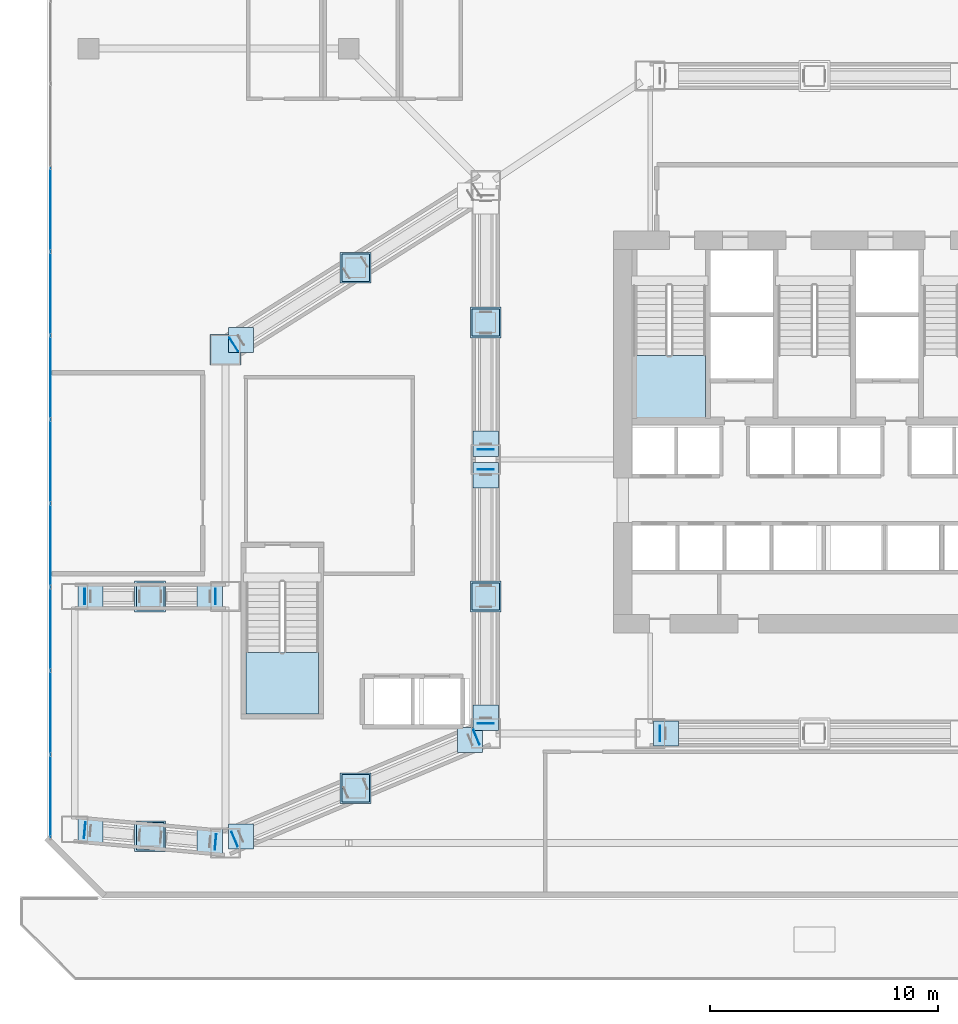
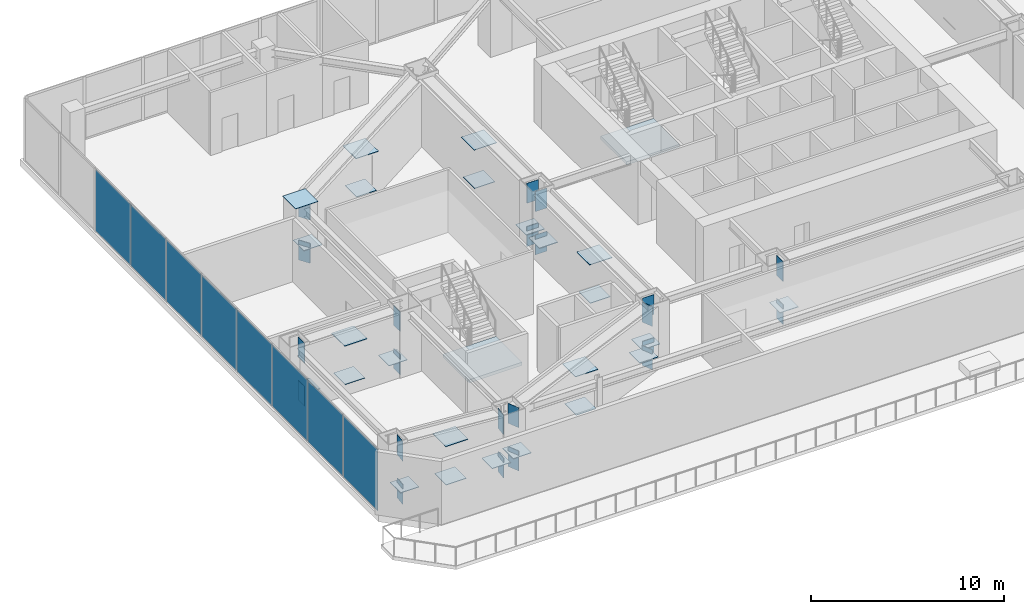
# One storey, part 20 of 39: 54 plates, 2 slabs, 3 elements without a shape of their own.
"""IFC4 building model written with IfcOpenShell, lengths in metres."""

from ifc_helpers import new_model, si_unit, direction, frame, origin, origin_2d, place, context, subcontext, project, spatial, polyline, rectangle, outline, extrude, material, layer, layer_set, type_object, element, aggregate, save


model = new_model("IFC4")

# Units and contexts
model_context = context("Model", 3, precision=1e-05, world=origin(), true_north=direction((0.0, 1.0)))
body_context = subcontext(model_context, "Body", "Model", "MODEL_VIEW")
ifc_project = project(units=[si_unit("LENGTHUNIT", "METRE"), si_unit("AREAUNIT", "SQUARE_METRE"), si_unit("VOLUMEUNIT", "CUBIC_METRE"), si_unit("PLANEANGLEUNIT", "RADIAN"), si_unit("MASSUNIT", "GRAM", prefix="KILO")], contexts=[model_context])

# Site, building, storey
site_placement = place(None, origin())
site = spatial("IfcSite", under=ifc_project, at=site_placement, CompositionType="ELEMENT")
building_placement = place(site_placement, origin())
building = spatial("IfcBuilding", under=site, at=building_placement, Name="Haolan Belvedere Tower", CompositionType="ELEMENT")
storey_placement = place(building_placement, frame((0.0, 0.0, 19.800048828125)))
storey = spatial("IfcBuildingStorey", under=building, at=storey_placement, Name="L04", CompositionType="ELEMENT", Elevation=19.800048828125)

# Curtain wall, plates
ifc_material_1 = material(Name="Anodised champagne-silver aluminium 6063-T6 and Low-E glass", Category="aluminium")
ifc_layer_1 = layer(ifc_material_1, 0.179931640625, Name="Anodised champagne-silver aluminium 6063-T6 and Low-E glass")
ifc_layer_set_1 = layer_set([ifc_layer_1], Name="Anodised champagne-silver aluminium 6063-T6 and Low-E glass")
curtain_wall_type = type_object("IfcCurtainWallType", Name="CW-SYS-01", PredefinedType="NOTDEFINED", material=ifc_layer_set_1)
curtain_wall_placement = place(storey_placement, origin())
curtain_wall = element("IfcCurtainWall", 1, at=curtain_wall_placement, inside=storey, type_object=curtain_wall_type, Name="L04 CW-SYS-01 ribbon curtain wall 4.1", PredefinedType="NOTDEFINED")
ifc_material_2 = material(Name="Double silver Low-E laminated insulating glass", Category="glass")
ifc_layer_2 = layer(ifc_material_2, 0.028076171875, Name="Double silver Low-E laminated insulating glass")
ifc_layer_set_2 = layer_set([ifc_layer_2], Name="Double silver Low-E laminated insulating glass")
plate_type_1 = type_object("IfcPlateType", Name="CW-SYS-01-PNL", PredefinedType="CURTAIN_PANEL", material=ifc_layer_set_2)
plate_1_placement = place(storey_placement, frame((4.929931640625, 44.5458984375, 0.06005859375), z_axis=(0.0, 0.0, 1.0), x_axis=(0.0, -1.0, 0.0)))
plate_1 = element("IfcPlate", 2, at=plate_1_placement, type_object=plate_type_1, Name="CW-01 panel 3.1", PredefinedType="CURTAIN_PANEL", context=body_context, shape_type="SweptSolid", body=[
    extrude(rectangle(XDim=3.608642578125, YDim=0.028076171875, at=origin_2d()), origin(), (0.0, 0.0, 1.0), 3.8798828125),
])
plate_2_placement = place(storey_placement, frame((4.929931640625, 40.872314453125, 0.06005859375), z_axis=(0.0, 0.0, 1.0), x_axis=(0.0, -1.0, 0.0)))
plate_2 = element("IfcPlate", 3, at=plate_2_placement, type_object=plate_type_1, Name="CW-01 panel 4.1", PredefinedType="CURTAIN_PANEL", context=body_context, shape_type="SweptSolid", body=[
    extrude(rectangle(XDim=3.608642578125, YDim=0.028076171875, at=origin_2d()), origin(), (0.0, 0.0, 1.0), 3.8798828125),
])
plate_3_placement = place(storey_placement, frame((4.929931640625, 37.19873046875, 0.06005859375), z_axis=(0.0, 0.0, 1.0), x_axis=(0.0, -1.0, 0.0)))
plate_3 = element("IfcPlate", 4, at=plate_3_placement, type_object=plate_type_1, Name="CW-01 panel 5.1", PredefinedType="CURTAIN_PANEL", context=body_context, shape_type="SweptSolid", body=[
    extrude(rectangle(XDim=3.608642578125, YDim=0.028076171875, at=origin_2d()), origin(), (0.0, 0.0, 1.0), 3.8798828125),
])
plate_4_placement = place(storey_placement, frame((4.929931640625, 33.525146484375, 0.06005859375), z_axis=(0.0, 0.0, 1.0), x_axis=(0.0, -1.0, 0.0)))
plate_4 = element("IfcPlate", 5, at=plate_4_placement, type_object=plate_type_1, Name="CW-01 panel 6.1", PredefinedType="CURTAIN_PANEL", context=body_context, shape_type="SweptSolid", body=[
    extrude(rectangle(XDim=3.608642578125, YDim=0.028076171875, at=origin_2d()), origin(), (0.0, 0.0, 1.0), 3.8798828125),
])
plate_5_placement = place(storey_placement, frame((4.929931640625, 29.8515625, 0.06005859375), z_axis=(0.0, 0.0, 1.0), x_axis=(0.0, -1.0, 0.0)))
plate_5 = element("IfcPlate", 6, at=plate_5_placement, type_object=plate_type_1, Name="CW-01 panel 7.1", PredefinedType="CURTAIN_PANEL", context=body_context, shape_type="SweptSolid", body=[
    extrude(rectangle(XDim=3.608642578125, YDim=0.028076171875, at=origin_2d()), origin(), (0.0, 0.0, 1.0), 3.8798828125),
])
plate_6_placement = place(storey_placement, frame((4.929931640625, 26.177734375, 0.06005859375), z_axis=(0.0, 0.0, 1.0), x_axis=(0.0, -1.0, 0.0)))
plate_6 = element("IfcPlate", 7, at=plate_6_placement, type_object=plate_type_1, Name="CW-01 panel 8.1", PredefinedType="CURTAIN_PANEL", context=body_context, shape_type="SweptSolid", body=[
    extrude(rectangle(XDim=3.608642578125, YDim=0.028076171875, at=origin_2d()), origin(), (0.0, 0.0, 1.0), 3.8798828125),
])
plate_7_placement = place(storey_placement, frame((4.929931640625, 22.504150390625, 0.06005859375), z_axis=(0.0, 0.0, 1.0), x_axis=(0.0, -1.0, 0.0)))
plate_7 = element("IfcPlate", 8, at=plate_7_placement, type_object=plate_type_1, Name="CW-01 panel 9.1", PredefinedType="CURTAIN_PANEL", context=body_context, shape_type="SweptSolid", body=[
    extrude(rectangle(XDim=3.608642578125, YDim=0.028076171875, at=origin_2d()), origin(), (0.0, 0.0, 1.0), 3.8798828125),
])
plate_8_placement = place(storey_placement, frame((4.929931640625, 18.846923828125, 0.06005859375), z_axis=(0.0, 0.0, 1.0), x_axis=(0.0, -1.0, 0.0)))
plate_8 = element("IfcPlate", 9, at=plate_8_placement, type_object=plate_type_1, Name="CW-01 panel 10.1", PredefinedType="CURTAIN_PANEL", context=body_context, shape_type="SweptSolid", body=[
    extrude(rectangle(XDim=3.576171875, YDim=0.028076171875, at=origin_2d()), origin(), (0.0, 0.0, 1.0), 3.8798828125),
])
aggregate(curtain_wall, [plate_1, plate_2, plate_3, plate_4, plate_5, plate_6, plate_7, plate_8])

# Plates
ifc_material_3 = material(Name="Steel Q355B", Category="steel")
ifc_layer_3 = layer(ifc_material_3, 0.02490234375, Name="Steel Q355B")
ifc_layer_set_3 = layer_set([ifc_layer_3], Name="Steel Q355B")
plate_type_2 = type_object("IfcPlateType", Name="PL-CAP-25", PredefinedType="SHEET", material=ifc_layer_set_3)
plate_9_placement = place(storey_placement, frame((12.60009765625, 38.39990234375, 4.199951171875), z_axis=(0.0, 0.0, 1.0), x_axis=(1.0, 0.0, 0.0)))
element("IfcPlate", 10, at=plate_9_placement, inside=storey, type_object=plate_type_2, Name="Hollow steel end-cap plate COL-L04-MC-T2-NW-TCAP", PredefinedType="SHEET", context=body_context, shape_type="SweptSolid", body=[
    extrude(rectangle(XDim=1.340087890625, YDim=1.340087890625, at=origin_2d()), origin(), (0.0, 0.0, 1.0), 0.02490234375),
])
for number, where, z_axis, x_axis, name in (
    (11, (24.0, 22.03759765625, 2.7099609375), (0.0, 0.0, 1.0), (1.0, 0.0, 0.0), "Hollow steel end-cap plate TT-T3-W1-TC-CAP0"),
    (12, (24.0, 33.16259765625, 2.7099609375), (0.0, 0.0, 1.0), (-1.0, 0.0, 0.0), "Hollow steel end-cap plate TT-T3-W1-TC-CAP1"),
    (13, (24.0, 22.03759765625, -0.0302734375), (0.0, 0.0, 1.0), (1.0, 0.0, 0.0), "Hollow steel end-cap plate TT-T3-W1-BC-CAP0"),
    (14, (24.0, 33.16259765625, -0.0302734375), (0.0, 0.0, 1.0), (-1.0, 0.0, 0.0), "Hollow steel end-cap plate TT-T3-W1-BC-CAP1"),
    (15, (24.0, 34.03759765625, 2.7099609375), (0.0, 0.0, 1.0), (1.0, 0.0, 0.0), "Hollow steel end-cap plate TT-T3-W2-TC-CAP0"),
    (16, (24.0, 34.03759765625, -0.0302734375), (0.0, 0.0, 1.0), (1.0, 0.0, 0.0), "Hollow steel end-cap plate TT-T3-W2-BC-CAP0"),
    (17, (31.637451171875, 21.60009765625, 2.7099609375), (0.0, 0.0, 1.0), (0.0, -1.0, 0.0), "Hollow steel end-cap plate TT-T3-SM-TC-CAP0"),
    (18, (31.637451171875, 21.60009765625, -0.0302734375), (0.0, 0.0, 1.0), (0.0, -1.0, 0.0), "Hollow steel end-cap plate TT-T3-SM-BC-CAP0"),
    (19, (13.003173828125, 16.9697265625, 2.7099609375), (0.0, 0.0, 1.0), (0.388062562797, -0.921633032912, 0.0), "Hollow steel end-cap plate TT-T2-S-TC-CAP0"),
    (20, (23.5966796875, 21.43017578125, 2.7099609375), (0.0, 0.0, 1.0), (-0.388062562797, 0.921633032912, 0.0), "Hollow steel end-cap plate TT-T2-S-TC-CAP1"),
    (21, (13.003173828125, 16.9697265625, -0.0302734375), (0.0, 0.0, 1.0), (0.388062562797, -0.921633032912, 0.0), "Hollow steel end-cap plate TT-T2-S-BC-CAP0"),
    (22, (23.5966796875, 21.43017578125, -0.0302734375), (0.0, 0.0, 1.0), (-0.388062562797, 0.921633032912, 0.0), "Hollow steel end-cap plate TT-T2-S-BC-CAP1"),
    (23, (12.969970703125, 38.633544921875, 2.7099609375), (0.0, 0.0, 1.0), (0.533998240073, -0.845485588049, 0.0), "Hollow steel end-cap plate TT-T2-N-TC-CAP0"),
    (24, (12.969970703125, 38.633544921875, -0.0302734375), (0.0, 0.0, 1.0), (0.533998240073, -0.845485588049, 0.0), "Hollow steel end-cap plate TT-T2-N-BC-CAP0"),
    (25, (6.435791015625, 17.3603515625, 2.7099609375), (0.0, 0.0, 1.0), (-0.090528290931, -0.995893884177, 0.0), "Hollow steel end-cap plate TT-T1-S-TC-CAP0"),
    (26, (12.164306640625, 16.839599609375, 2.7099609375), (0.0, 0.0, 1.0), (0.090528290931, 0.995893884177, 0.0), "Hollow steel end-cap plate TT-T1-S-TC-CAP1"),
    (27, (6.435791015625, 17.3603515625, -0.0302734375), (0.0, 0.0, 1.0), (-0.090528290931, -0.995893884177, 0.0), "Hollow steel end-cap plate TT-T1-S-BC-CAP0"),
    (28, (12.164306640625, 16.839599609375, -0.0302734375), (0.0, 0.0, 1.0), (0.090528290931, 0.995893884177, 0.0), "Hollow steel end-cap plate TT-T1-S-BC-CAP1"),
    (29, (6.4375, 27.60009765625, 2.7099609375), (0.0, 0.0, 1.0), (0.0, -1.0, 0.0), "Hollow steel end-cap plate TT-T1-N-TC-CAP0"),
    (30, (12.16259765625, 27.60009765625, 2.7099609375), (0.0, 0.0, 1.0), (0.0, 1.0, 0.0), "Hollow steel end-cap plate TT-T1-N-TC-CAP1"),
    (31, (6.4375, 27.60009765625, -0.0302734375), (0.0, 0.0, 1.0), (0.0, -1.0, 0.0), "Hollow steel end-cap plate TT-T1-N-BC-CAP0"),
    (32, (12.16259765625, 27.60009765625, -0.0302734375), (0.0, 0.0, 1.0), (0.0, 1.0, 0.0), "Hollow steel end-cap plate TT-T1-N-BC-CAP1"),
):
    element("IfcPlate", number, at=place(storey_placement, frame(where, z_axis=z_axis, x_axis=x_axis)), inside=storey, type_object=plate_type_2, Name=name, PredefinedType="SHEET", context=body_context, shape_type="SweptSolid", body=[
        extrude(rectangle(XDim=0.68994140625, YDim=0.02490234375, at=origin_2d()), origin(), (0.0, 0.0, 1.0), 1.260009765625),
    ])
ifc_material_4 = material(Name="Steel Q420GJC", Category="steel")
ifc_layer_4 = layer(ifc_material_4, 0.034912109375, Name="Steel Q420GJC")
ifc_layer_set_4 = layer_set([ifc_layer_4], Name="Steel Q420GJC")
plate_type_3 = type_object("IfcPlateType", Name="PL-NODE-NP01", PredefinedType="USERDEFINED", material=ifc_layer_set_4)
for number, where, z_axis, x_axis, name in (
    (33, (24.0, 22.2900390625, 0.92236328125), (0.0, 0.0, 1.0), (1.0, 0.0, 0.0), "NP-01 transfer truss base gusset plate TT-T3-W1.1"),
    (34, (24.0, 32.909912109375, 0.92236328125), (0.0, 0.0, 1.0), (1.0, 0.0, 0.0), "NP-01 transfer truss base gusset plate TT-T3-W1.2"),
):
    element("IfcPlate", number, at=place(storey_placement, frame(where, z_axis=z_axis, x_axis=x_axis)), inside=storey, type_object=plate_type_3, Name=name, ObjectType="GUSSET", PredefinedType="USERDEFINED", context=body_context, shape_type="SweptSolid", body=[
        extrude(rectangle(XDim=1.10009765625, YDim=1.10009765625, at=origin_2d()), origin(), (0.0, 0.0, 1.0), 0.034912109375),
    ])
plate_10_placement = place(storey_placement, frame((24.0, 27.60009765625, 3.20263671875), z_axis=(0.0, 0.0, 1.0), x_axis=(1.0, 0.0, 0.0)))
element("IfcPlate", 35, at=plate_10_placement, inside=storey, type_object=plate_type_3, Name="NP-01 transfer truss node assembly TT-T3-W1", ObjectType="GUSSET", PredefinedType="USERDEFINED", context=body_context, shape_type="SweptSolid", body=[
    extrude(rectangle(XDim=1.35009765625, YDim=1.35009765625, at=origin_2d()), origin(), (0.0, 0.0, 1.0), 0.034912109375),
])
plate_11_placement = place(storey_placement, frame((24.0, 27.60009765625, 0.70263671875), z_axis=(0.0, 0.0, 1.0), x_axis=(1.0, 0.0, 0.0)))
element("IfcPlate", 36, at=plate_11_placement, inside=storey, type_object=plate_type_3, Name="NP-01 transfer truss lower chord node plate TT-T3-W1", ObjectType="GUSSET", PredefinedType="USERDEFINED", context=body_context, shape_type="SweptSolid", body=[
    extrude(rectangle(XDim=1.199951171875, YDim=1.199951171875, at=origin_2d()), origin(), (0.0, 0.0, 1.0), 0.034912109375),
])
plate_12_placement = place(storey_placement, frame((24.0, 34.2900390625, 0.92236328125), z_axis=(0.0, 0.0, 1.0), x_axis=(1.0, 0.0, 0.0)))
element("IfcPlate", 37, at=plate_12_placement, inside=storey, type_object=plate_type_3, Name="NP-01 transfer truss base gusset plate TT-T3-W2.1", ObjectType="GUSSET", PredefinedType="USERDEFINED", context=body_context, shape_type="SweptSolid", body=[
    extrude(rectangle(XDim=1.10009765625, YDim=1.10009765625, at=origin_2d()), origin(), (0.0, 0.0, 1.0), 0.034912109375),
])
plate_13_placement = place(storey_placement, frame((24.0, 39.60009765625, 3.20263671875), z_axis=(0.0, 0.0, 1.0), x_axis=(1.0, 0.0, 0.0)))
element("IfcPlate", 38, at=plate_13_placement, inside=storey, type_object=plate_type_3, Name="NP-01 transfer truss node assembly TT-T3-W2", ObjectType="GUSSET", PredefinedType="USERDEFINED", context=body_context, shape_type="SweptSolid", body=[
    extrude(rectangle(XDim=1.35009765625, YDim=1.35009765625, at=origin_2d()), origin(), (0.0, 0.0, 1.0), 0.034912109375),
])
plate_14_placement = place(storey_placement, frame((24.0, 39.60009765625, 0.70263671875), z_axis=(0.0, 0.0, 1.0), x_axis=(1.0, 0.0, 0.0)))
element("IfcPlate", 39, at=plate_14_placement, inside=storey, type_object=plate_type_3, Name="NP-01 transfer truss lower chord node plate TT-T3-W2", ObjectType="GUSSET", PredefinedType="USERDEFINED", context=body_context, shape_type="SweptSolid", body=[
    extrude(rectangle(XDim=1.199951171875, YDim=1.199951171875, at=origin_2d()), origin(), (0.0, 0.0, 1.0), 0.034912109375),
])
for number, where, z_axis, x_axis, name in (
    (40, (31.889892578125, 21.60009765625, 0.92236328125), (0.0, 0.0, 1.0), (1.0, 0.0, 0.0), "NP-01 transfer truss base gusset plate TT-T3-SM.1"),
    (41, (13.286865234375, 17.089111328125, 0.92236328125), (0.0, 0.0, 1.0), (1.0, 0.0, 0.0), "NP-01 transfer truss base gusset plate TT-T2-S.1"),
    (42, (23.31298828125, 21.310791015625, 0.92236328125), (0.0, 0.0, 1.0), (1.0, 0.0, 0.0), "NP-01 transfer truss base gusset plate TT-T2-S.2"),
):
    element("IfcPlate", number, at=place(storey_placement, frame(where, z_axis=z_axis, x_axis=x_axis)), inside=storey, type_object=plate_type_3, Name=name, ObjectType="GUSSET", PredefinedType="USERDEFINED", context=body_context, shape_type="SweptSolid", body=[
        extrude(rectangle(XDim=1.10009765625, YDim=1.10009765625, at=origin_2d()), origin(), (0.0, 0.0, 1.0), 0.034912109375),
    ])
plate_15_placement = place(storey_placement, frame((18.300048828125, 19.199951171875, 3.20263671875), z_axis=(0.0, 0.0, 1.0), x_axis=(1.0, 0.0, 0.0)))
element("IfcPlate", 43, at=plate_15_placement, inside=storey, type_object=plate_type_3, Name="NP-01 transfer truss node assembly TT-T2-S", ObjectType="GUSSET", PredefinedType="USERDEFINED", context=body_context, shape_type="SweptSolid", body=[
    extrude(rectangle(XDim=1.35009765625, YDim=1.35009765625, at=origin_2d()), origin(), (0.0, 0.0, 1.0), 0.034912109375),
])
plate_16_placement = place(storey_placement, frame((18.300048828125, 19.199951171875, 0.70263671875), z_axis=(0.0, 0.0, 1.0), x_axis=(1.0, 0.0, 0.0)))
element("IfcPlate", 44, at=plate_16_placement, inside=storey, type_object=plate_type_3, Name="NP-01 transfer truss lower chord node plate TT-T2-S", ObjectType="GUSSET", PredefinedType="USERDEFINED", context=body_context, shape_type="SweptSolid", body=[
    extrude(rectangle(XDim=1.199951171875, YDim=1.199951171875, at=origin_2d()), origin(), (0.0, 0.0, 1.0), 0.034912109375),
])
plate_17_placement = place(storey_placement, frame((13.28369140625, 38.831787109375, 0.92236328125), z_axis=(0.0, 0.0, 1.0), x_axis=(1.0, 0.0, 0.0)))
element("IfcPlate", 45, at=plate_17_placement, inside=storey, type_object=plate_type_3, Name="NP-01 transfer truss base gusset plate TT-T2-N.1", ObjectType="GUSSET", PredefinedType="USERDEFINED", context=body_context, shape_type="SweptSolid", body=[
    extrude(rectangle(XDim=1.10009765625, YDim=1.10009765625, at=origin_2d()), origin(), (0.0, 0.0, 1.0), 0.034912109375),
])
plate_18_placement = place(storey_placement, frame((18.300048828125, 42.0, 3.20263671875), z_axis=(0.0, 0.0, 1.0), x_axis=(1.0, 0.0, 0.0)))
element("IfcPlate", 46, at=plate_18_placement, inside=storey, type_object=plate_type_3, Name="NP-01 transfer truss node assembly TT-T2-N", ObjectType="GUSSET", PredefinedType="USERDEFINED", context=body_context, shape_type="SweptSolid", body=[
    extrude(rectangle(XDim=1.35009765625, YDim=1.35009765625, at=origin_2d()), origin(), (0.0, 0.0, 1.0), 0.034912109375),
])
plate_19_placement = place(storey_placement, frame((18.300048828125, 42.0, 0.70263671875), z_axis=(0.0, 0.0, 1.0), x_axis=(1.0, 0.0, 0.0)))
element("IfcPlate", 47, at=plate_19_placement, inside=storey, type_object=plate_type_3, Name="NP-01 transfer truss lower chord node plate TT-T2-N", ObjectType="GUSSET", PredefinedType="USERDEFINED", context=body_context, shape_type="SweptSolid", body=[
    extrude(rectangle(XDim=1.199951171875, YDim=1.199951171875, at=origin_2d()), origin(), (0.0, 0.0, 1.0), 0.034912109375),
])
for number, where, z_axis, x_axis, name in (
    (48, (6.689697265625, 17.33740234375, 0.92236328125), (0.0, 0.0, 1.0), (1.0, 0.0, 0.0), "NP-01 transfer truss base gusset plate TT-T1-S.1"),
    (49, (11.91015625, 16.86279296875, 0.92236328125), (0.0, 0.0, 1.0), (1.0, 0.0, 0.0), "NP-01 transfer truss base gusset plate TT-T1-S.2"),
):
    element("IfcPlate", number, at=place(storey_placement, frame(where, z_axis=z_axis, x_axis=x_axis)), inside=storey, type_object=plate_type_3, Name=name, ObjectType="GUSSET", PredefinedType="USERDEFINED", context=body_context, shape_type="SweptSolid", body=[
        extrude(rectangle(XDim=1.10009765625, YDim=1.10009765625, at=origin_2d()), origin(), (0.0, 0.0, 1.0), 0.034912109375),
    ])
plate_20_placement = place(storey_placement, frame((9.300048828125, 17.10009765625, 3.20263671875), z_axis=(0.0, 0.0, 1.0), x_axis=(1.0, 0.0, 0.0)))
element("IfcPlate", 50, at=plate_20_placement, inside=storey, type_object=plate_type_3, Name="NP-01 transfer truss node assembly TT-T1-S", ObjectType="GUSSET", PredefinedType="USERDEFINED", context=body_context, shape_type="SweptSolid", body=[
    extrude(rectangle(XDim=1.35009765625, YDim=1.35009765625, at=origin_2d()), origin(), (0.0, 0.0, 1.0), 0.034912109375),
])
plate_21_placement = place(storey_placement, frame((9.300048828125, 17.10009765625, 0.70263671875), z_axis=(0.0, 0.0, 1.0), x_axis=(1.0, 0.0, 0.0)))
element("IfcPlate", 51, at=plate_21_placement, inside=storey, type_object=plate_type_3, Name="NP-01 transfer truss lower chord node plate TT-T1-S", ObjectType="GUSSET", PredefinedType="USERDEFINED", context=body_context, shape_type="SweptSolid", body=[
    extrude(rectangle(XDim=1.199951171875, YDim=1.199951171875, at=origin_2d()), origin(), (0.0, 0.0, 1.0), 0.034912109375),
])
for number, where, z_axis, x_axis, name in (
    (52, (6.68994140625, 27.60009765625, 0.92236328125), (0.0, 0.0, 1.0), (1.0, 0.0, 0.0), "NP-01 transfer truss base gusset plate TT-T1-N.1"),
    (53, (11.909912109375, 27.60009765625, 0.92236328125), (0.0, 0.0, 1.0), (1.0, 0.0, 0.0), "NP-01 transfer truss base gusset plate TT-T1-N.2"),
):
    element("IfcPlate", number, at=place(storey_placement, frame(where, z_axis=z_axis, x_axis=x_axis)), inside=storey, type_object=plate_type_3, Name=name, ObjectType="GUSSET", PredefinedType="USERDEFINED", context=body_context, shape_type="SweptSolid", body=[
        extrude(rectangle(XDim=1.10009765625, YDim=1.10009765625, at=origin_2d()), origin(), (0.0, 0.0, 1.0), 0.034912109375),
    ])
plate_22_placement = place(storey_placement, frame((9.300048828125, 27.60009765625, 3.20263671875), z_axis=(0.0, 0.0, 1.0), x_axis=(1.0, 0.0, 0.0)))
element("IfcPlate", 54, at=plate_22_placement, inside=storey, type_object=plate_type_3, Name="NP-01 transfer truss node assembly TT-T1-N", ObjectType="GUSSET", PredefinedType="USERDEFINED", context=body_context, shape_type="SweptSolid", body=[
    extrude(rectangle(XDim=1.35009765625, YDim=1.35009765625, at=origin_2d()), origin(), (0.0, 0.0, 1.0), 0.034912109375),
])
plate_23_placement = place(storey_placement, frame((9.300048828125, 27.60009765625, 0.70263671875), z_axis=(0.0, 0.0, 1.0), x_axis=(1.0, 0.0, 0.0)))
element("IfcPlate", 55, at=plate_23_placement, inside=storey, type_object=plate_type_3, Name="NP-01 transfer truss lower chord node plate TT-T1-N", ObjectType="GUSSET", PredefinedType="USERDEFINED", context=body_context, shape_type="SweptSolid", body=[
    extrude(rectangle(XDim=1.199951171875, YDim=1.199951171875, at=origin_2d()), origin(), (0.0, 0.0, 1.0), 0.034912109375),
])

# Stair, slab
ifc_material_5 = material(Name="Concrete C40/50", Category="concrete")
stair_type = type_object("IfcStairType", Name="STR-DL-24R-175", PredefinedType="HALF_TURN_STAIR", material=ifc_material_5)
stair_1_placement = place(storey_placement, origin())
stair_1 = element("IfcStair", 56, at=stair_1_placement, inside=storey, type_object=stair_type, Name="L04 Smokeproof Core Exit Stair ST1", PredefinedType="HALF_TURN_STAIR")
ifc_layer_5 = layer(ifc_material_5, 0.199951171875, Name="Concrete C40/50")
ifc_layer_set_5 = layer_set([ifc_layer_5], Name="Concrete C40/50")
slab_type = type_object("IfcSlabType", Name="SL-LAND-200", PredefinedType="LANDING", material=ifc_layer_set_5)
slab_1_placement = place(storey_placement, frame((0.0, 0.0, 1.89990234375)))
slab_1 = element("IfcSlab", 57, at=slab_1_placement, type_object=slab_type, Name="ST1 landing 1", PredefinedType="LANDING", context=body_context, shape_type="SweptSolid", body=[
    extrude(outline(polyline([(30.449951171875, 38.14990234375), (30.449951171875, 35.449951171875), (33.6298828125, 35.449951171875), (33.6298828125, 38.14990234375), (30.449951171875, 38.14990234375)])), origin(), (0.0, 0.0, 1.0), 0.199951171875),
])
aggregate(stair_1, [slab_1])

stair_2_placement = place(storey_placement, origin())
stair_2 = element("IfcStair", 58, at=stair_2_placement, inside=storey, type_object=stair_type, Name="L04 West Podium Protected Exit Stair ST4", PredefinedType="HALF_TURN_STAIR")
slab_2_placement = place(storey_placement, frame((0.0, 0.0, 1.89990234375)))
slab_2 = element("IfcSlab", 59, at=slab_2_placement, type_object=slab_type, Name="ST4 landing 1", PredefinedType="LANDING", context=body_context, shape_type="SweptSolid", body=[
    extrude(outline(polyline([(13.5, 25.14990234375), (13.5, 22.449951171875), (16.679931640625, 22.449951171875), (16.679931640625, 25.14990234375), (13.5, 25.14990234375)])), origin(), (0.0, 0.0, 1.0), 0.199951171875),
])
aggregate(stair_2, [slab_2])

save(model, "model.ifc")
